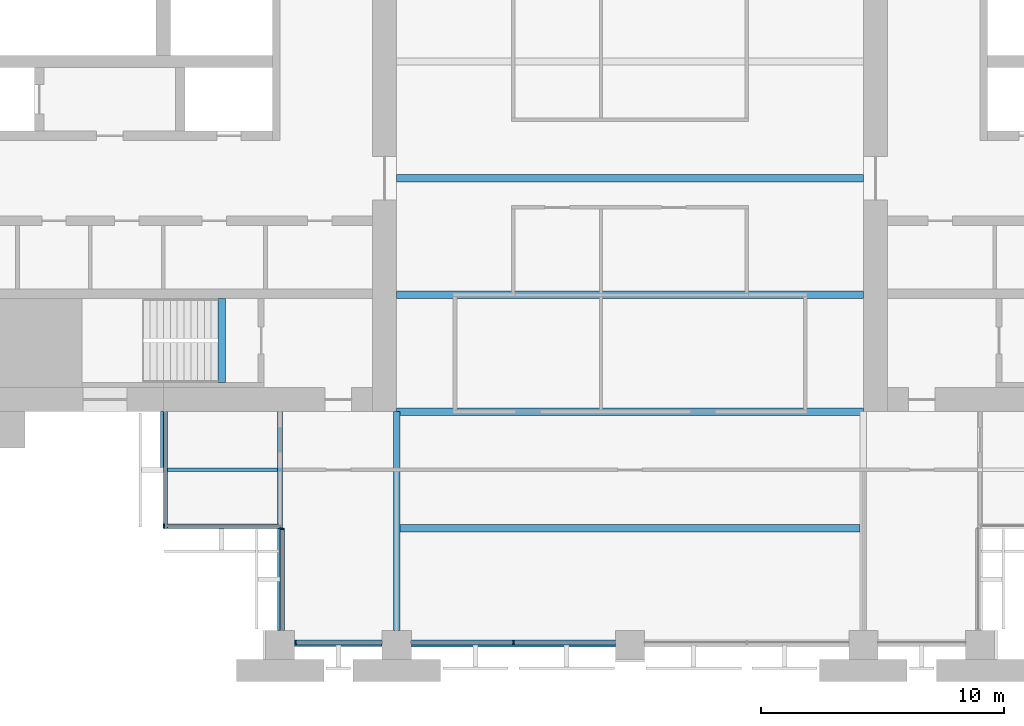
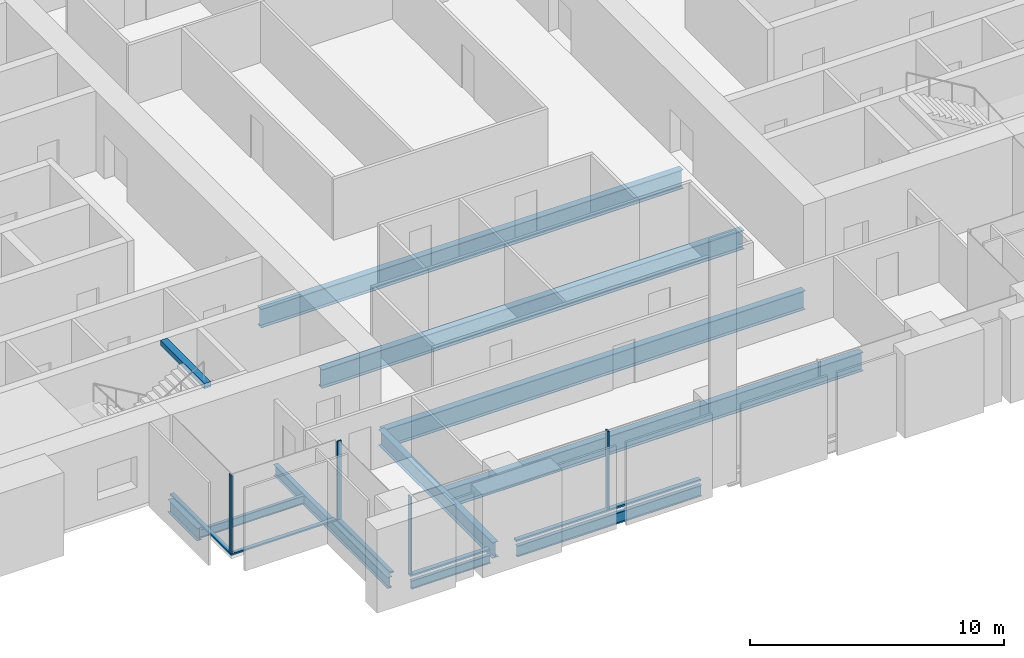
# One storey, part 2 of 14: 11 beams, 9 members, 4 elements without a shape of their own.
"""IFC4 building model written with IfcOpenShell, lengths in metres."""

from ifc_helpers import new_model, si_unit, direction, frame, origin, origin_2d, place, context, subcontext, project, spatial, rectangle, i_section, extrude, material, material_profile, profile_set, type_object, element, aggregate, save


model = new_model("IFC4")

# Units and contexts
model_context = context("Model", 3, precision=1e-05, world=origin(), true_north=direction((0.0, 1.0)))
body_context = subcontext(model_context, "Body", "Model", "MODEL_VIEW")
ifc_project = project(units=[si_unit("LENGTHUNIT", "METRE"), si_unit("AREAUNIT", "SQUARE_METRE"), si_unit("VOLUMEUNIT", "CUBIC_METRE"), si_unit("PLANEANGLEUNIT", "RADIAN"), si_unit("MASSUNIT", "GRAM", prefix="KILO")], contexts=[model_context])

# Site, building, storey
site_placement = place(None, origin())
site = spatial("IfcSite", under=ifc_project, at=site_placement, CompositionType="ELEMENT")
building_placement = place(site_placement, origin())
building = spatial("IfcBuilding", under=site, at=building_placement, Name="Baori Bourse Tower", CompositionType="ELEMENT")
storey_placement = place(building_placement, frame((0.0, 0.0, 144.10009765625)))
storey = spatial("IfcBuildingStorey", under=building, at=storey_placement, Name="L31", CompositionType="ELEMENT", Elevation=144.10009765625)

# Curtain wall, members
ifc_material_1 = material(Name="Pale anodised aluminium", Category="aluminium")
curtain_wall_type_1 = type_object("IfcCurtainWallType", Name="CW1 Curtain wall", PredefinedType="NOTDEFINED", material=ifc_material_1)
curtain_wall_1_placement = place(storey_placement, origin())
curtain_wall_1 = element("IfcCurtainWall", 1, at=curtain_wall_1_placement, inside=storey, type_object=curtain_wall_type_1, Name="Curtain wall CW1 L31 11", PredefinedType="NOTDEFINED")
ifc_material_2 = material(Name="Pale anodised aluminium", Category="aluminium")
ifc_material_profile_1 = material_profile(ifc_material_2, rectangle(XDim=0.199951171875, YDim=0.06005859375, at=origin_2d()), Name="Mullion 60x200")
ifc_profile_set_1 = profile_set([ifc_material_profile_1], Name="Pale anodised aluminium")
member_type_1 = type_object("IfcMemberType", Name="CW1 Curtain wall mullion", PredefinedType="MULLION", material=ifc_profile_set_1)
member_1_placement = place(storey_placement, frame((15.030029296875, 0.10009765625, 0.079833984375), z_axis=(0.0, 0.0, 1.0), x_axis=(0.0, 1.0, 0.0)))
member_1 = element("IfcMember", 2, at=member_1_placement, type_object=member_type_1, Name="Curtain wall CW1 mullion", PredefinedType="MULLION", context=body_context, shape_type="SweptSolid", body=[
    extrude(rectangle(XDim=0.199951171875, YDim=0.06005859375, at=origin_2d()), origin(), (0.0, 0.0, 1.0), 3.760009765625),
])
member_2_placement = place(storey_placement, frame((24.0, 0.10009765625, 0.079833984375), z_axis=(0.0, 0.0, 1.0), x_axis=(0.0, 1.0, 0.0)))
member_2 = element("IfcMember", 3, at=member_2_placement, type_object=member_type_1, Name="Curtain wall CW1 mullion", PredefinedType="MULLION", context=body_context, shape_type="SweptSolid", body=[
    extrude(rectangle(XDim=0.199951171875, YDim=0.06005859375, at=origin_2d()), origin(), (0.0, 0.0, 1.0), 3.760009765625),
])
ifc_material_3 = material(Name="Pale anodised aluminium", Category="aluminium")
ifc_material_profile_2 = material_profile(ifc_material_3, rectangle(XDim=0.199951171875, YDim=0.080078125, at=origin_2d()), Name="Transom 80x200")
ifc_profile_set_2 = profile_set([ifc_material_profile_2], Name="Pale anodised aluminium")
member_type_2 = type_object("IfcMemberType", Name="CW1 Curtain wall transom", PredefinedType="USERDEFINED", material=ifc_profile_set_2)
member_3_placement = place(storey_placement, frame((15.0, 0.10009765625, 0.039794921875), z_axis=(1.0, 0.0, 0.0), x_axis=(0.0, 1.0, 0.0)))
member_3 = element("IfcMember", 4, at=member_3_placement, type_object=member_type_2, Name="Curtain wall CW1 sill rail", ObjectType="TRANSOM", PredefinedType="USERDEFINED", context=body_context, shape_type="SweptSolid", body=[
    extrude(rectangle(XDim=0.199951171875, YDim=0.080078125, at=origin_2d()), origin(), (0.0, 0.0, 1.0), 3.60009765625),
])
member_4_placement = place(storey_placement, frame((19.800048828125, 0.10009765625, 0.039794921875), z_axis=(1.0, 0.0, 0.0), x_axis=(0.0, 1.0, 0.0)))
member_4 = element("IfcMember", 5, at=member_4_placement, type_object=member_type_2, Name="Curtain wall CW1 sill rail", ObjectType="TRANSOM", PredefinedType="USERDEFINED", context=body_context, shape_type="SweptSolid", body=[
    extrude(rectangle(XDim=0.199951171875, YDim=0.080078125, at=origin_2d()), origin(), (0.0, 0.0, 1.0), 8.39990234375),
])
aggregate(curtain_wall_1, [member_3, member_1, member_4, member_2])

# Curtain wall, member
ifc_material_4 = material(Name="Pale anodised aluminium", Category="aluminium")
curtain_wall_type_2 = type_object("IfcCurtainWallType", Name="CW2 Curtain wall", PredefinedType="NOTDEFINED", material=ifc_material_4)
curtain_wall_2_placement = place(storey_placement, origin())
curtain_wall_2 = element("IfcCurtainWall", 6, at=curtain_wall_2_placement, inside=storey, type_object=curtain_wall_type_2, Name="Curtain wall CW2 L31 9", PredefinedType="NOTDEFINED")
ifc_material_5 = material(Name="Pale anodised aluminium", Category="aluminium")
ifc_material_profile_3 = material_profile(ifc_material_5, rectangle(XDim=0.179931640625, YDim=0.054931640625, at=origin_2d()), Name="Mullion 55x180")
ifc_profile_set_3 = profile_set([ifc_material_profile_3], Name="Pale anodised aluminium")
member_type_3 = type_object("IfcMemberType", Name="CW2 Curtain wall mullion", PredefinedType="MULLION", material=ifc_profile_set_3)
member_5_placement = place(storey_placement, frame((9.62744140625, 4.889892578125, 0.06982421875), z_axis=(0.0, 0.0, 1.0), x_axis=(0.0, 1.0, 0.0)))
member_5 = element("IfcMember", 7, at=member_5_placement, type_object=member_type_3, Name="Curtain wall CW2 mullion", PredefinedType="MULLION", context=body_context, shape_type="SweptSolid", body=[
    extrude(rectangle(XDim=0.179931640625, YDim=0.054931640625, at=origin_2d()), origin(), (0.0, 0.0, 1.0), 3.77001953125),
])

curtain_wall_3_placement = place(storey_placement, origin())
curtain_wall_3 = element("IfcCurtainWall", 8, at=curtain_wall_3_placement, inside=storey, type_object=curtain_wall_type_2, Name="Curtain wall CW2 L31 10", PredefinedType="NOTDEFINED")
member_6_placement = place(storey_placement, frame((14.489990234375, 4.7724609375, 0.06982421875), z_axis=(0.0, 0.0, 1.0), x_axis=(1.0, 0.0, 0.0)))
member_6 = element("IfcMember", 9, at=member_6_placement, type_object=member_type_3, Name="Curtain wall CW2 mullion", PredefinedType="MULLION", context=body_context, shape_type="SweptSolid", body=[
    extrude(rectangle(XDim=0.179931640625, YDim=0.054931640625, at=origin_2d()), origin(), (0.0, 0.0, 1.0), 3.77001953125),
])

curtain_wall_4_placement = place(storey_placement, origin())
curtain_wall_4 = element("IfcCurtainWall", 10, at=curtain_wall_4_placement, inside=storey, type_object=curtain_wall_type_2, Name="Curtain wall CW2 L31 8", PredefinedType="NOTDEFINED")
ifc_material_6 = material(Name="Pale anodised aluminium", Category="aluminium")
ifc_material_profile_4 = material_profile(ifc_material_6, rectangle(XDim=0.179931640625, YDim=0.070068359375, at=origin_2d()), Name="Transom 70x180")
ifc_profile_set_4 = profile_set([ifc_material_profile_4], Name="Pale anodised aluminium")
member_type_4 = type_object("IfcMemberType", Name="CW2 Curtain wall transom", PredefinedType="USERDEFINED", material=ifc_profile_set_4)
member_7_placement = place(storey_placement, frame((9.68994140625, 9.60009765625, 0.034912109375), z_axis=(0.0, -1.0, 0.0), x_axis=(1.0, 0.0, 0.0)))
member_7 = element("IfcMember", 11, at=member_7_placement, type_object=member_type_4, Name="Curtain wall CW2 sill rail", ObjectType="TRANSOM", PredefinedType="USERDEFINED", context=body_context, shape_type="SweptSolid", body=[
    extrude(rectangle(XDim=0.179931640625, YDim=0.070068359375, at=origin_2d()), origin(), (0.0, 0.0, 1.0), 4.800048828125),
])
aggregate(curtain_wall_4, [member_7])

# Member
member_8_placement = place(storey_placement, frame((9.60009765625, 4.889892578125, 0.034912109375), z_axis=(1.0, 0.0, 0.0), x_axis=(0.0, 1.0, 0.0)))
member_8 = element("IfcMember", 12, at=member_8_placement, type_object=member_type_4, Name="Curtain wall CW2 sill rail", ObjectType="TRANSOM", PredefinedType="USERDEFINED", context=body_context, shape_type="SweptSolid", body=[
    extrude(rectangle(XDim=0.179931640625, YDim=0.070068359375, at=origin_2d()), origin(), (0.0, 0.0, 1.0), 4.7998046875),
])

aggregate(curtain_wall_2, [member_8, member_5])

member_9_placement = place(storey_placement, frame((14.489990234375, 4.800048828125, 0.034912109375), z_axis=(0.0, -1.0, 0.0), x_axis=(1.0, 0.0, 0.0)))
member_9 = element("IfcMember", 13, at=member_9_placement, type_object=member_type_4, Name="Curtain wall CW2 sill rail", ObjectType="TRANSOM", PredefinedType="USERDEFINED", context=body_context, shape_type="SweptSolid", body=[
    extrude(rectangle(XDim=0.179931640625, YDim=0.070068359375, at=origin_2d()), origin(), (0.0, 0.0, 1.0), 4.199951171875),
])

aggregate(curtain_wall_3, [member_9, member_6])

# Beams
ifc_material_7 = material(Name="Steel A992 Gr 50", Category="steel")
ifc_material_profile_5 = material_profile(ifc_material_7, i_section(OverallWidth=0.227783203125, OverallDepth=0.60205078125, WebThickness=0.010498046875, FlangeThickness=0.014892578125, at=origin_2d()), Name="W24x68")
ifc_profile_set_5 = profile_set([ifc_material_profile_5], Name="Steel A992 Gr 50")
beam_type_1 = type_object("IfcBeamType", Name="Core bracket W24x68", PredefinedType="BEAM", material=ifc_profile_set_5)
beam_1_placement = place(storey_placement, frame((9.60009765625, 7.270263671875, -0.461181640625), z_axis=(0.0, 1.0, 0.0), x_axis=(-1.0, 0.0, 0.0)))
element("IfcBeam", 14, at=beam_1_placement, inside=storey, type_object=beam_type_1, Name="Core bracket L31", PredefinedType="BEAM", context=body_context, shape_type="SweptSolid", body=[
    extrude(i_section(OverallWidth=0.227783203125, OverallDepth=0.60205078125, WebThickness=0.010498046875, FlangeThickness=0.014892578125, at=origin_2d()), origin(), (0.0, 0.0, 1.0), 2.329833984375),
])
ifc_material_8 = material(Name="Steel A992 Gr 50", Category="steel")
ifc_material_profile_6 = material_profile(ifc_material_8, i_section(OverallWidth=0.140380859375, OverallDepth=0.40380859375, WebThickness=0.007080078125, FlangeThickness=0.01123046875, at=origin_2d()), Name="W16x31")
ifc_profile_set_6 = profile_set([ifc_material_profile_6], Name="Steel A992 Gr 50")
beam_type_2 = type_object("IfcBeamType", Name="Edge beam W16x31", PredefinedType="BEAM", material=ifc_profile_set_6)
beam_2_placement = place(storey_placement, frame((15.0, 0.0, -0.362060546875), z_axis=(1.0, 0.0, 0.0), x_axis=(0.0, 1.0, 0.0)))
element("IfcBeam", 15, at=beam_2_placement, inside=storey, type_object=beam_type_2, Name="Edge beam L31", PredefinedType="BEAM", context=body_context, shape_type="SweptSolid", body=[
    extrude(i_section(OverallWidth=0.140380859375, OverallDepth=0.40380859375, WebThickness=0.007080078125, FlangeThickness=0.01123046875, at=origin_2d()), origin(), (0.0, 0.0, 1.0), 3.60009765625),
])
ifc_material_9 = material(Name="Steel A992 Gr 50", Category="steel")
ifc_material_profile_7 = material_profile(ifc_material_9, i_section(OverallWidth=0.1650390625, OverallDepth=0.52587890625, WebThickness=0.0087890625, FlangeThickness=0.011474609375, at=origin_2d()), Name="W21x44")
ifc_profile_set_7 = profile_set([ifc_material_profile_7], Name="Steel A992 Gr 50")
beam_type_3 = type_object("IfcBeamType", Name="Edge beam W21x44", PredefinedType="BEAM", material=ifc_profile_set_7)
beam_3_placement = place(storey_placement, frame((19.800048828125, 0.0, -0.423095703125), z_axis=(1.0, 0.0, 0.0), x_axis=(0.0, 1.0, 0.0)))
element("IfcBeam", 16, at=beam_3_placement, inside=storey, type_object=beam_type_3, Name="Edge beam L31", PredefinedType="BEAM", context=body_context, shape_type="SweptSolid", body=[
    extrude(i_section(OverallWidth=0.1650390625, OverallDepth=0.52587890625, WebThickness=0.0087890625, FlangeThickness=0.011474609375, at=origin_2d()), origin(), (0.0, 0.0, 1.0), 8.39990234375),
])
ifc_material_10 = material(Name="Steel A992 Gr 50", Category="steel")
ifc_material_profile_8 = material_profile(ifc_material_10, i_section(OverallWidth=0.209228515625, OverallDepth=0.533447265625, WebThickness=0.01025390625, FlangeThickness=0.015625, at=origin_2d()), Name="W21x62")
ifc_profile_set_8 = profile_set([ifc_material_profile_8], Name="Steel A992 Gr 50")
beam_type_4 = type_object("IfcBeamType", Name="Floor beam W21x62", PredefinedType="BEAM", material=ifc_profile_set_8)
beam_4_placement = place(storey_placement, frame((14.39990234375, 0.60009765625, -0.4267578125), z_axis=(0.0, 1.0, 0.0), x_axis=(-1.0, 0.0, 0.0)))
element("IfcBeam", 17, at=beam_4_placement, inside=storey, type_object=beam_type_4, Name="Floor beam L31", PredefinedType="BEAM", context=body_context, shape_type="SweptSolid", body=[
    extrude(i_section(OverallWidth=0.209228515625, OverallDepth=0.533447265625, WebThickness=0.01025390625, FlangeThickness=0.015625, at=origin_2d()), origin(), (0.0, 0.0, 1.0), 9.0),
])
ifc_material_11 = material(Name="Steel A992 Gr 50", Category="steel")
ifc_material_profile_9 = material_profile(ifc_material_11, i_section(OverallWidth=0.3046875, OverallDepth=0.904296875, WebThickness=0.01513671875, FlangeThickness=0.02001953125, at=origin_2d()), Name="W36x135")
ifc_profile_set_9 = profile_set([ifc_material_profile_9], Name="Steel A992 Gr 50")
beam_type_5 = type_object("IfcBeamType", Name="Floor beam W36x135", PredefinedType="BEAM", material=ifc_profile_set_9)
beam_5_placement = place(storey_placement, frame((19.33203125, 4.800048828125, -0.6123046875), z_axis=(1.0, 0.0, 0.0), x_axis=(0.0, 1.0, 0.0)))
element("IfcBeam", 18, at=beam_5_placement, inside=storey, type_object=beam_type_5, Name="Floor beam L31", PredefinedType="BEAM", context=body_context, shape_type="SweptSolid", body=[
    extrude(i_section(OverallWidth=0.3046875, OverallDepth=0.904296875, WebThickness=0.01513671875, FlangeThickness=0.02001953125, at=origin_2d()), origin(), (0.0, 0.0, 1.0), 18.935791015625),
])
for number, where, z_axis, x_axis, name in (
    (19, (19.199951171875, 9.60009765625, -0.6123046875), (1.0, 0.0, 0.0), (0.0, 1.0, 0.0), "Floor beam L31"),
    (20, (19.199951171875, 14.39990234375, -0.6123046875), (1.0, 0.0, 0.0), (0.0, 1.0, 0.0), "Floor beam L31"),
    (21, (19.199951171875, 19.199951171875, -0.6123046875), (1.0, 0.0, 0.0), (0.0, 1.0, 0.0), "Floor beam L31"),
):
    element("IfcBeam", number, at=place(storey_placement, frame(where, z_axis=z_axis, x_axis=x_axis)), inside=storey, type_object=beam_type_5, Name=name, PredefinedType="BEAM", context=body_context, shape_type="SweptSolid", body=[
        extrude(i_section(OverallWidth=0.3046875, OverallDepth=0.904296875, WebThickness=0.01513671875, FlangeThickness=0.02001953125, at=origin_2d()), origin(), (0.0, 0.0, 1.0), 19.199951171875),
    ])
ifc_material_12 = material(Name="Steel A992 Gr 50", Category="steel")
ifc_material_profile_10 = material_profile(ifc_material_12, i_section(OverallWidth=0.26416015625, OverallDepth=0.749267578125, WebThickness=0.011962890625, FlangeThickness=0.015380859375, at=origin_2d()), Name="W30x90")
ifc_profile_set_10 = profile_set([ifc_material_profile_10], Name="Steel A992 Gr 50")
beam_type_6 = type_object("IfcBeamType", Name="Girder W30x90", PredefinedType="BEAM", material=ifc_profile_set_10)
beam_6_placement = place(storey_placement, frame((19.199951171875, 0.60009765625, -0.53466796875), z_axis=(0.0, 1.0, 0.0), x_axis=(-1.0, 0.0, 0.0)))
element("IfcBeam", 22, at=beam_6_placement, inside=storey, type_object=beam_type_6, Name="Girder L31", PredefinedType="BEAM", context=body_context, shape_type="SweptSolid", body=[
    extrude(i_section(OverallWidth=0.26416015625, OverallDepth=0.749267578125, WebThickness=0.011962890625, FlangeThickness=0.015380859375, at=origin_2d()), origin(), (0.0, 0.0, 1.0), 9.0),
])
ifc_material_13 = material(Name="Concrete f'c 50 MPa", Category="concrete")
ifc_material_profile_11 = material_profile(ifc_material_13, rectangle(XDim=0.300048828125, YDim=0.25, at=origin_2d()), Name="RC 300x250")
ifc_profile_set_11 = profile_set([ifc_material_profile_11], Name="Concrete f'c 50 MPa")
beam_type_7 = type_object("IfcBeamType", Name="Stair nib beam RC 300x250", PredefinedType="BEAM", material=ifc_profile_set_11)
beam_7_placement = place(storey_placement, frame((12.0, 10.800048828125, 3.71484375), z_axis=(0.0, 1.0, 0.0), x_axis=(-1.0, 0.0, 0.0)))
element("IfcBeam", 23, at=beam_7_placement, inside=storey, type_object=beam_type_7, Name="Stair WA nib beam L32", PredefinedType="BEAM", context=body_context, shape_type="SweptSolid", body=[
    extrude(rectangle(XDim=0.300048828125, YDim=0.25, at=origin_2d()), origin(), (0.0, 0.0, 1.0), 3.449951171875),
])
ifc_material_14 = material(Name="Steel A992 Gr 50", Category="steel")
ifc_material_profile_12 = material_profile(ifc_material_14, i_section(OverallWidth=0.140380859375, OverallDepth=0.40380859375, WebThickness=0.007080078125, FlangeThickness=0.01123046875, at=origin_2d()), Name="W16x31")
ifc_profile_set_12 = profile_set([ifc_material_profile_12], Name="Steel A992 Gr 50")
beam_type_8 = type_object("IfcBeamType", Name="Trimmer beam W16x31", PredefinedType="BEAM", material=ifc_profile_set_12)
beam_8_placement = place(storey_placement, frame((9.60009765625, 7.199951171875, -0.362060546875), z_axis=(1.0, 0.0, 0.0), x_axis=(0.0, 1.0, 0.0)))
element("IfcBeam", 24, at=beam_8_placement, inside=storey, type_object=beam_type_8, Name="Trimmer beam L31", PredefinedType="BEAM", context=body_context, shape_type="SweptSolid", body=[
    extrude(i_section(OverallWidth=0.140380859375, OverallDepth=0.40380859375, WebThickness=0.007080078125, FlangeThickness=0.01123046875, at=origin_2d()), origin(), (0.0, 0.0, 1.0), 4.6953125),
])

save(model, "model.ifc")
